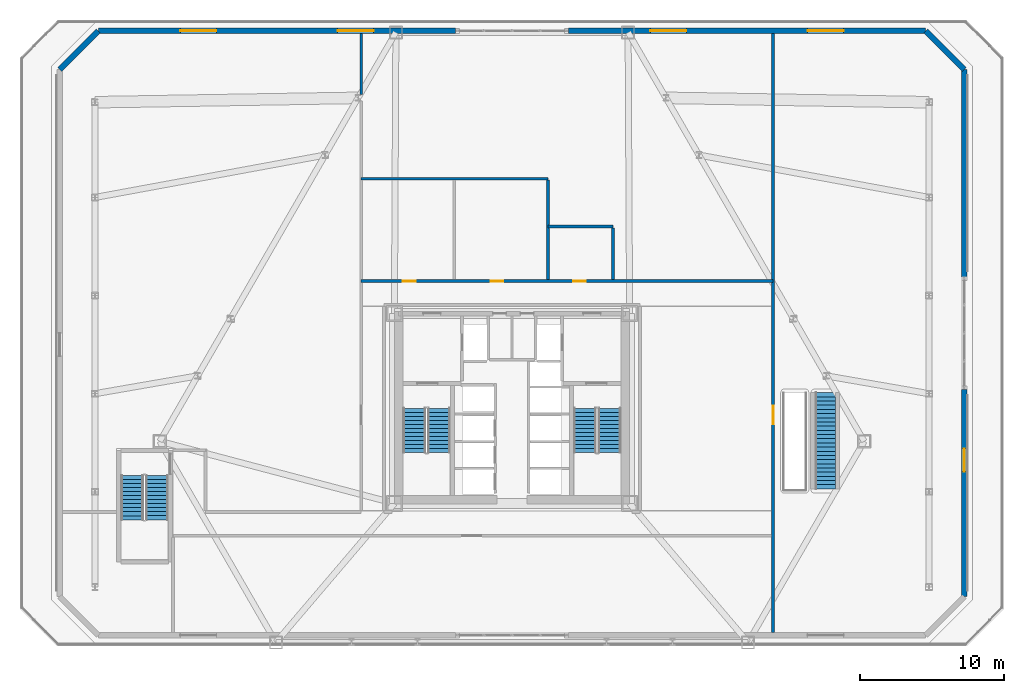
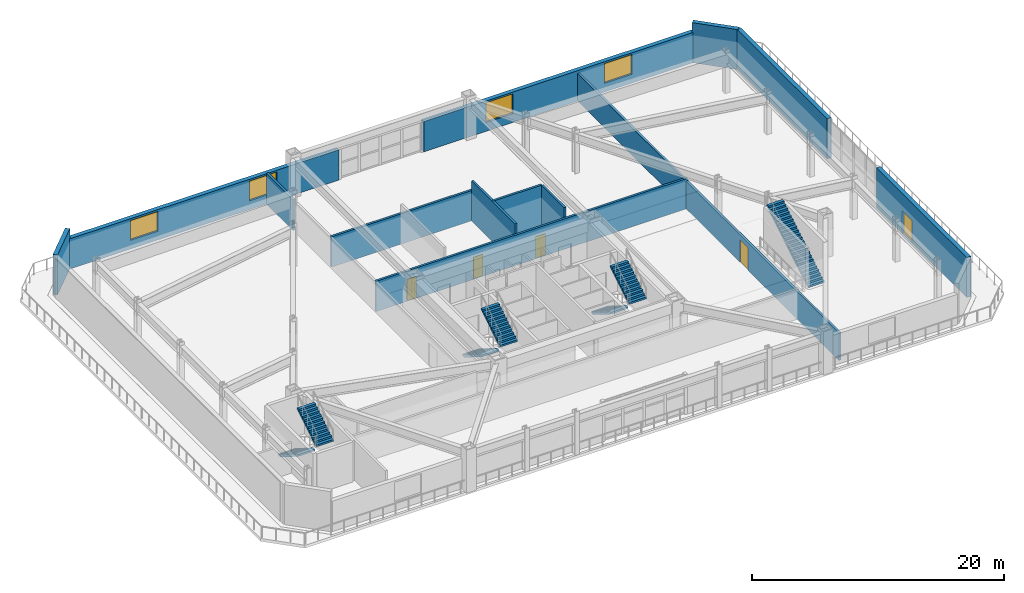
# One storey, part 13 of 22: 13 walls, 7 stair flights, 5 doors, 4 windows, 9 openings, 4 elements without a shape of their own.
"""IFC4 building model written with IfcOpenShell, lengths in metres."""

from ifc_helpers import new_model, si_unit, direction, frame, frame_2d, origin, place, context, subcontext, project, spatial, polyline, rectangle, outline, extrude, material, layer, layer_set, type_object, element, fill, aggregate, save


model = new_model("IFC4")

# Units and contexts
model_context = context("Model", 3, precision=1e-05, world=origin(), true_north=direction((0.0, 1.0)))
body_context = subcontext(model_context, "Body", "Model", "MODEL_VIEW")
ifc_project = project(units=[si_unit("LENGTHUNIT", "METRE"), si_unit("AREAUNIT", "SQUARE_METRE"), si_unit("VOLUMEUNIT", "CUBIC_METRE"), si_unit("PLANEANGLEUNIT", "RADIAN"), si_unit("MASSUNIT", "GRAM", prefix="KILO")], contexts=[model_context])

# Site, building, storey
site_placement = place(None, origin())
site = spatial("IfcSite", under=ifc_project, at=site_placement, CompositionType="ELEMENT")
building_placement = place(site_placement, origin())
building = spatial("IfcBuilding", under=site, at=building_placement, Name="Oramaril Tower", CompositionType="ELEMENT")
storey_placement = place(building_placement, frame((0.0, 0.0, 18.300048828125)))
storey = spatial("IfcBuildingStorey", under=building, at=storey_placement, Name="L04", CompositionType="ELEMENT", Elevation=18.300048828125)

# Wall, opening, door
ifc_material_1 = material(Name="Warm Cream Limestone", Category="masonry")
ifc_layer_1 = layer(ifc_material_1, 0.3798828125)
ifc_layer_set_1 = layer_set([ifc_layer_1], Name="WT-EXT38")
wall_type_1 = type_object("IfcWallType", Name="WT-EXT38", PredefinedType="SOLIDWALL", material=ifc_layer_set_1)
wall_1_placement = place(storey_placement, frame((68.85009765625, 4.52783203125, 0.0), z_axis=(0.0, 0.0, 1.0), x_axis=(0.0, 1.0, 0.0)))
wall_1 = element("IfcWall", 1, at=wall_1_placement, inside=storey, type_object=wall_type_1, Name="L04 Limestone Facade Wall EW-3A", PredefinedType="SOLIDWALL", context=body_context, shape_type="SweptSolid", body=[
    extrude(rectangle(XDim=14.3720703125, YDim=0.3798828125, at=frame_2d((7.18603515625, 0.0))), origin(), (0.0, 0.0, 1.0), 3.8798828125),
])
opening_1_placement = place(wall_1_placement, frame((8.672119140625, 0.0, 0.0)))
opening_1 = element("IfcOpeningElement", 2, at=opening_1_placement, cuts=wall_1, Name="Opening D-L04-T2", PredefinedType="OPENING", context=body_context, shape_type="SweptSolid", body=[
    extrude(rectangle(XDim=1.60009765625, YDim=2.199951171875, at=frame_2d((0.800048828125, 1.10009765625))), frame((0.0, 0.18994140625, 0.0), z_axis=(0.0, -1.0, 0.0), x_axis=(1.0, 0.0, 0.0)), (0.0, 0.0, 1.0), 0.3798828125),
])
ifc_material_2 = material(Name="Anodised Aluminium 6063-T6", Category="aluminium")
door_type_1 = type_object("IfcDoorType", Name="DT-TER", OperationType="NOTDEFINED", PredefinedType="DOOR", material=ifc_material_2)
door_1_placement = place(opening_1_placement, origin())
door_1 = element("IfcDoor", 3, at=door_1_placement, inside=storey, type_object=door_type_1, Name="L04 Podium Terrace Access Door 2", OperationType="SINGLE_SWING_RIGHT", OverallHeight=2.199951171875, OverallWidth=1.60009765625, PredefinedType="DOOR", context=body_context, shape_type="SweptSolid", body=[
    extrude(rectangle(XDim=1.60009765625, YDim=2.199951171875, at=frame_2d((0.800048828125, 1.10009765625))), frame((0.0, 0.02490234375, 0.0), z_axis=(0.0, -1.0, 0.0), x_axis=(1.0, 0.0, 0.0)), (0.0, 0.0, 1.0), 0.050048828125),
])
fill(opening_1, door_1)

# Walls
wall_2_placement = place(storey_placement, frame((68.85009765625, 26.699951171875, 0.0), z_axis=(0.0, 0.0, 1.0), x_axis=(0.0, 1.0, 0.0)))
element("IfcWall", 4, at=wall_2_placement, inside=storey, type_object=wall_type_1, Name="L04 Limestone Facade Wall EW-3B", PredefinedType="SOLIDWALL", context=body_context, shape_type="SweptSolid", body=[
    extrude(rectangle(XDim=14.372314453125, YDim=0.3798828125, at=frame_2d((7.18603515625, 0.0))), origin(), (0.0, 0.0, 1.0), 3.8798828125),
])
wall_3_placement = place(storey_placement, frame((68.85009765625, 41.072265625, 0.0), z_axis=(0.0, 0.0, 1.0), x_axis=(-0.707139013974, 0.707074546929, 0.0)))
element("IfcWall", 5, at=wall_3_placement, inside=storey, type_object=wall_type_1, Name="L04 Limestone Facade Wall EW-4M", PredefinedType="SOLIDWALL", context=body_context, shape_type="SweptSolid", body=[
    extrude(rectangle(XDim=3.787109375, YDim=0.3798828125, at=frame_2d((1.8935546875, 0.0))), origin(), (0.0, 0.0, 1.0), 3.8798828125),
])

# Wall, openings, windows
wall_4_placement = place(storey_placement, frame((66.172119140625, 43.75, 0.0), z_axis=(0.0, 0.0, 1.0), x_axis=(-1.0, 0.0, 0.0)))
wall_4 = element("IfcWall", 6, at=wall_4_placement, inside=storey, type_object=wall_type_1, Name="L04 Limestone Facade Wall EW-5A", PredefinedType="SOLIDWALL", context=body_context, shape_type="SweptSolid", body=[
    extrude(rectangle(XDim=24.772216796875, YDim=0.3798828125, at=frame_2d((12.38623046875, 0.0))), origin(), (0.0, 0.0, 1.0), 2.94287109375),
])
opening_2_placement = place(wall_4_placement, frame((5.686279296875, 0.0, 0.85009765625)))
opening_2 = element("IfcOpeningElement", 7, at=opening_2_placement, cuts=wall_4, Name="Opening WN-11", PredefinedType="OPENING", context=body_context, shape_type="SweptSolid", body=[
    extrude(rectangle(XDim=2.5, YDim=1.923095703125, at=frame_2d((1.25, 0.96142578125))), frame((0.0, 0.18994140625, 0.0), z_axis=(0.0, -1.0, 0.0), x_axis=(1.0, 0.0, 0.0)), (0.0, 0.0, 1.0), 0.3798828125),
])
opening_3_placement = place(wall_4_placement, frame((16.5859375, 0.0, 0.85009765625)))
opening_3 = element("IfcOpeningElement", 8, at=opening_3_placement, cuts=wall_4, Name="Opening WN-11", PredefinedType="OPENING", context=body_context, shape_type="SweptSolid", body=[
    extrude(rectangle(XDim=2.5, YDim=1.923095703125, at=frame_2d((1.25, 0.96142578125))), frame((0.0, 0.18994140625, 0.0), z_axis=(0.0, -1.0, 0.0), x_axis=(1.0, 0.0, 0.0)), (0.0, 0.0, 1.0), 0.3798828125),
])
ifc_material_3 = material(Name="Coastal Low-E Insulated Glass", Category="glass")
window_type = type_object("IfcWindowType", Name="WNT-11", PartitioningType="SINGLE_PANEL", PredefinedType="WINDOW", material=ifc_material_3)
window_1_placement = place(opening_2_placement, origin())
window_1 = element("IfcWindow", 9, at=window_1_placement, inside=storey, type_object=window_type, Name="L04 Podium Chicago Window", OverallHeight=1.923095703125, OverallWidth=2.5, PartitioningType="SINGLE_PANEL", PredefinedType="WINDOW", context=body_context, shape_type="SweptSolid", body=[
    extrude(rectangle(XDim=2.5, YDim=1.923095703125, at=frame_2d((1.25, 0.96142578125))), frame((0.0, 0.030029296875, 0.0), z_axis=(0.0, -1.0, 0.0), x_axis=(1.0, 0.0, 0.0)), (0.0, 0.0, 1.0), 0.06005859375),
])
fill(opening_2, window_1)
window_2_placement = place(opening_3_placement, origin())
window_2 = element("IfcWindow", 10, at=window_2_placement, inside=storey, type_object=window_type, Name="L04 Podium Chicago Window", OverallHeight=1.923095703125, OverallWidth=2.5, PartitioningType="SINGLE_PANEL", PredefinedType="WINDOW", context=body_context, shape_type="SweptSolid", body=[
    extrude(rectangle(XDim=2.5, YDim=1.923095703125, at=frame_2d((1.25, 0.96142578125))), frame((0.0, 0.030029296875, 0.0), z_axis=(0.0, -1.0, 0.0), x_axis=(1.0, 0.0, 0.0)), (0.0, 0.0, 1.0), 0.06005859375),
])
fill(opening_3, window_2)

wall_5_placement = place(storey_placement, frame((33.60009765625, 43.75, 0.0), z_axis=(0.0, 0.0, 1.0), x_axis=(-1.0, 0.0, 0.0)))
wall_5 = element("IfcWall", 11, at=wall_5_placement, inside=storey, type_object=wall_type_1, Name="L04 Limestone Facade Wall EW-5B", PredefinedType="SOLIDWALL", context=body_context, shape_type="SweptSolid", body=[
    extrude(rectangle(XDim=24.772216796875, YDim=0.3798828125, at=frame_2d((12.38623046875, 0.0))), origin(), (0.0, 0.0, 1.0), 2.94287109375),
])
opening_4_placement = place(wall_5_placement, frame((5.686279296875, 0.0, 0.85009765625)))
opening_4 = element("IfcOpeningElement", 12, at=opening_4_placement, cuts=wall_5, Name="Opening WN-11", PredefinedType="OPENING", context=body_context, shape_type="SweptSolid", body=[
    extrude(rectangle(XDim=2.5, YDim=1.923095703125, at=frame_2d((1.25, 0.96142578125))), frame((0.0, 0.18994140625, 0.0), z_axis=(0.0, -1.0, 0.0), x_axis=(1.0, 0.0, 0.0)), (0.0, 0.0, 1.0), 0.3798828125),
])
opening_5_placement = place(wall_5_placement, frame((16.5859375, 0.0, 0.85009765625)))
opening_5 = element("IfcOpeningElement", 13, at=opening_5_placement, cuts=wall_5, Name="Opening WN-11", PredefinedType="OPENING", context=body_context, shape_type="SweptSolid", body=[
    extrude(rectangle(XDim=2.5, YDim=1.923095703125, at=frame_2d((1.25, 0.96142578125))), frame((0.0, 0.18994140625, 0.0), z_axis=(0.0, -1.0, 0.0), x_axis=(1.0, 0.0, 0.0)), (0.0, 0.0, 1.0), 0.3798828125),
])
window_3_placement = place(opening_4_placement, origin())
window_3 = element("IfcWindow", 14, at=window_3_placement, inside=storey, type_object=window_type, Name="L04 Podium Chicago Window", OverallHeight=1.923095703125, OverallWidth=2.5, PartitioningType="SINGLE_PANEL", PredefinedType="WINDOW", context=body_context, shape_type="SweptSolid", body=[
    extrude(rectangle(XDim=2.5, YDim=1.923095703125, at=frame_2d((1.25, 0.96142578125))), frame((0.0, 0.030029296875, 0.0), z_axis=(0.0, -1.0, 0.0), x_axis=(1.0, 0.0, 0.0)), (0.0, 0.0, 1.0), 0.06005859375),
])
fill(opening_4, window_3)
window_4_placement = place(opening_5_placement, origin())
window_4 = element("IfcWindow", 15, at=window_4_placement, inside=storey, type_object=window_type, Name="L04 Podium Chicago Window", OverallHeight=1.923095703125, OverallWidth=2.5, PartitioningType="SINGLE_PANEL", PredefinedType="WINDOW", context=body_context, shape_type="SweptSolid", body=[
    extrude(rectangle(XDim=2.5, YDim=1.923095703125, at=frame_2d((1.25, 0.96142578125))), frame((0.0, 0.030029296875, 0.0), z_axis=(0.0, -1.0, 0.0), x_axis=(1.0, 0.0, 0.0)), (0.0, 0.0, 1.0), 0.06005859375),
])
fill(opening_5, window_4)

# Wall
wall_6_placement = place(storey_placement, frame((8.827880859375, 43.75, 0.0), z_axis=(0.0, 0.0, 1.0), x_axis=(-0.707139013974, -0.707074546929, 0.0)))
element("IfcWall", 16, at=wall_6_placement, inside=storey, type_object=wall_type_1, Name="L04 Limestone Facade Wall EW-6M", PredefinedType="SOLIDWALL", context=body_context, shape_type="SweptSolid", body=[
    extrude(rectangle(XDim=3.787109375, YDim=0.3798828125, at=frame_2d((1.8935546875, 0.0))), origin(), (0.0, 0.0, 1.0), 3.8798828125),
])

# Wall, openings, doors
ifc_material_4 = material(Name="Autoclaved Cellular Concrete Block", Category="concrete")
ifc_layer_2 = layer(ifc_material_4, 0.199951171875)
ifc_layer_set_2 = layer_set([ifc_layer_2], Name="WT-PT20")
wall_type_2 = type_object("IfcWallType", Name="WT-PT20", PredefinedType="PARTITIONING", material=ifc_layer_set_2)
wall_7_placement = place(storey_placement, frame((27.050048828125, 26.39990234375, 0.0), z_axis=(0.0, 0.0, 1.0), x_axis=(1.0, 0.0, 0.0)))
wall_7 = element("IfcWall", 17, at=wall_7_placement, inside=storey, type_object=wall_type_2, Name="L04 Interior Partition PT-20", PredefinedType="PARTITIONING", context=body_context, shape_type="SweptSolid", body=[
    extrude(rectangle(XDim=28.550048828125, YDim=0.199951171875, at=frame_2d((14.27490234375, 0.0))), origin(), (0.0, 0.0, 1.0), 2.94287109375),
])
opening_6_placement = place(wall_7_placement, frame((2.885498046875, 0.0, 0.0)))
opening_6 = element("IfcOpeningElement", 18, at=opening_6_placement, cuts=wall_7, Name="Opening D-L04-02", PredefinedType="OPENING", context=body_context, shape_type="SweptSolid", body=[
    extrude(rectangle(XDim=0.8798828125, YDim=2.080078125, at=frame_2d((0.43994140625, 1.0400390625))), frame((0.0, 0.10009765625, 0.0), z_axis=(0.0, -1.0, 0.0), x_axis=(1.0, 0.0, 0.0)), (0.0, 0.0, 1.0), 0.199951171875),
])
opening_7_placement = place(wall_7_placement, frame((8.964111328125, 0.0, 0.0)))
opening_7 = element("IfcOpeningElement", 19, at=opening_7_placement, cuts=wall_7, Name="Opening D-L04-03", PredefinedType="OPENING", context=body_context, shape_type="SweptSolid", body=[
    extrude(rectangle(XDim=0.8798828125, YDim=2.080078125, at=frame_2d((0.43994140625, 1.0400390625))), frame((0.0, 0.10009765625, 0.0), z_axis=(0.0, -1.0, 0.0), x_axis=(1.0, 0.0, 0.0)), (0.0, 0.0, 1.0), 0.199951171875),
])
opening_8_placement = place(wall_7_placement, frame((14.687744140625, 0.0, 0.0)))
opening_8 = element("IfcOpeningElement", 20, at=opening_8_placement, cuts=wall_7, Name="Opening D-L04-04", PredefinedType="OPENING", context=body_context, shape_type="SweptSolid", body=[
    extrude(rectangle(XDim=0.8798828125, YDim=2.080078125, at=frame_2d((0.43994140625, 1.0400390625))), frame((0.0, 0.10009765625, 0.0), z_axis=(0.0, -1.0, 0.0), x_axis=(1.0, 0.0, 0.0)), (0.0, 0.0, 1.0), 0.199951171875),
])
ifc_material_5 = material(Name="FSC Brazilian Freijo Hardwood", Category="wood")
door_type_2 = type_object("IfcDoorType", Name="DT-BATH", OperationType="NOTDEFINED", PredefinedType="DOOR", material=ifc_material_5)
door_2_placement = place(opening_6_placement, origin())
door_2 = element("IfcDoor", 21, at=door_2_placement, inside=storey, type_object=door_type_2, Name="L04 L04 Male WC Door D-L04-02", OperationType="SINGLE_SWING_RIGHT", OverallHeight=2.080078125, OverallWidth=0.8798828125, PredefinedType="DOOR", context=body_context, shape_type="SweptSolid", body=[
    extrude(rectangle(XDim=0.8798828125, YDim=2.080078125, at=frame_2d((0.43994140625, 1.0400390625))), frame((0.0, 0.02490234375, 0.0), z_axis=(0.0, -1.0, 0.0), x_axis=(1.0, 0.0, 0.0)), (0.0, 0.0, 1.0), 0.050048828125),
])
fill(opening_6, door_2)
door_3_placement = place(opening_7_placement, origin())
door_3 = element("IfcDoor", 22, at=door_3_placement, inside=storey, type_object=door_type_2, Name="L04 L04 Female WC Door D-L04-03", OperationType="SINGLE_SWING_LEFT", OverallHeight=2.080078125, OverallWidth=0.8798828125, PredefinedType="DOOR", context=body_context, shape_type="SweptSolid", body=[
    extrude(rectangle(XDim=0.8798828125, YDim=2.080078125, at=frame_2d((0.43994140625, 1.0400390625))), frame((0.0, 0.02490234375, 0.0), z_axis=(0.0, -1.0, 0.0), x_axis=(1.0, 0.0, 0.0)), (0.0, 0.0, 1.0), 0.050048828125),
])
fill(opening_7, door_3)
door_4_placement = place(opening_8_placement, origin())
door_4 = element("IfcDoor", 23, at=door_4_placement, inside=storey, type_object=door_type_2, Name="L04 L04 Accessible WC Door D-L04-04", OperationType="SINGLE_SWING_RIGHT", OverallHeight=2.080078125, OverallWidth=0.8798828125, PredefinedType="DOOR", context=body_context, shape_type="SweptSolid", body=[
    extrude(rectangle(XDim=0.8798828125, YDim=2.080078125, at=frame_2d((0.43994140625, 1.0400390625))), frame((0.0, 0.02490234375, 0.0), z_axis=(0.0, -1.0, 0.0), x_axis=(1.0, 0.0, 0.0)), (0.0, 0.0, 1.0), 0.050048828125),
])
fill(opening_8, door_4)

# Walls
wall_8_placement = place(storey_placement, frame((40.0, 30.199951171875, 0.0), z_axis=(0.0, 0.0, 1.0), x_axis=(1.0, 0.0, 0.0)))
element("IfcWall", 24, at=wall_8_placement, inside=storey, type_object=wall_type_2, Name="L04 Interior Partition PT-20", PredefinedType="PARTITIONING", context=body_context, shape_type="SweptSolid", body=[
    extrude(rectangle(XDim=4.5, YDim=0.199951171875, at=frame_2d((2.25, 0.0))), origin(), (0.0, 0.0, 1.0), 3.8798828125),
])
wall_9_placement = place(storey_placement, frame((27.050048828125, 33.5, 0.0), z_axis=(0.0, 0.0, 1.0), x_axis=(1.0, 0.0, 0.0)))
element("IfcWall", 25, at=wall_9_placement, inside=storey, type_object=wall_type_2, Name="L04 Interior Partition PT-20", PredefinedType="PARTITIONING", context=body_context, shape_type="SweptSolid", body=[
    extrude(rectangle(XDim=12.949951171875, YDim=0.199951171875, at=frame_2d((6.47509765625, 0.0))), origin(), (0.0, 0.0, 1.0), 2.94287109375),
])
wall_10_placement = place(storey_placement, frame((27.050048828125, 39.33154296875, 0.0), z_axis=(0.0, 0.0, 1.0), x_axis=(0.0, 1.0, 0.0)))
element("IfcWall", 26, at=wall_10_placement, inside=storey, type_object=wall_type_2, Name="L04 Interior Partition PT-20", PredefinedType="PARTITIONING", context=body_context, shape_type="SweptSolid", body=[
    extrude(rectangle(XDim=4.224365234375, YDim=0.199951171875, at=frame_2d((2.1123046875, 0.0))), origin(), (0.0, 0.0, 1.0), 3.013916015625),
])
wall_11_placement = place(storey_placement, frame((40.0, 26.50390625, 0.0), z_axis=(0.0, 0.0, 1.0), x_axis=(0.0, 1.0, 0.0)))
element("IfcWall", 27, at=wall_11_placement, inside=storey, type_object=wall_type_2, Name="L04 Interior Partition PT-20", PredefinedType="PARTITIONING", context=body_context, shape_type="SweptSolid", body=[
    extrude(rectangle(XDim=6.89208984375, YDim=0.199951171875, at=frame_2d((3.446044921875, 0.0))), origin(), (0.0, 0.0, 1.0), 3.8798828125),
])
wall_12_placement = place(storey_placement, frame((44.5, 26.50390625, 0.0), z_axis=(0.0, 0.0, 1.0), x_axis=(0.0, 1.0, 0.0)))
element("IfcWall", 28, at=wall_12_placement, inside=storey, type_object=wall_type_2, Name="L04 Interior Partition PT-20", PredefinedType="PARTITIONING", context=body_context, shape_type="SweptSolid", body=[
    extrude(rectangle(XDim=3.592041015625, YDim=0.199951171875, at=frame_2d((1.7958984375, 0.0))), origin(), (0.0, 0.0, 1.0), 3.8798828125),
])

# Wall, opening, door
wall_13_placement = place(storey_placement, frame((55.60009765625, 2.0439453125, 0.0), z_axis=(0.0, 0.0, 1.0), x_axis=(0.0, 1.0, 0.0)))
wall_13 = element("IfcWall", 29, at=wall_13_placement, inside=storey, type_object=wall_type_2, Name="L04 Interior Partition PT-20", PredefinedType="PARTITIONING", context=body_context, shape_type="SweptSolid", body=[
    extrude(rectangle(XDim=41.511962890625, YDim=0.199951171875, at=frame_2d((20.755859375, 0.0))), origin(), (0.0, 0.0, 1.0), 2.669921875),
])
opening_9_placement = place(wall_13_placement, frame((14.435302734375, 0.0, 0.0)))
opening_9 = element("IfcOpeningElement", 30, at=opening_9_placement, cuts=wall_13, Name="Opening D-L04-06", PredefinedType="OPENING", context=body_context, shape_type="SweptSolid", body=[
    extrude(rectangle(XDim=1.300048828125, YDim=2.199951171875, at=frame_2d((0.64990234375, 1.10009765625))), frame((0.0, 0.10009765625, 0.0), z_axis=(0.0, -1.0, 0.0), x_axis=(1.0, 0.0, 0.0)), (0.0, 0.0, 1.0), 0.199951171875),
])
ifc_material_6 = material(Name="FSC Brazilian Freijo Hardwood", Category="wood")
door_type_3 = type_object("IfcDoorType", Name="DT-COM", OperationType="NOTDEFINED", PredefinedType="DOOR", material=ifc_material_6)
door_5_placement = place(opening_9_placement, origin())
door_5 = element("IfcDoor", 31, at=door_5_placement, inside=storey, type_object=door_type_3, Name="L04 L04 Indoor Lap Pool Hall Door D-L04-06", OperationType="SINGLE_SWING_RIGHT", OverallHeight=2.199951171875, OverallWidth=1.300048828125, PredefinedType="DOOR", context=body_context, shape_type="SweptSolid", body=[
    extrude(rectangle(XDim=1.300048828125, YDim=2.199951171875, at=frame_2d((0.64990234375, 1.10009765625))), frame((0.0, 0.02490234375, 0.0), z_axis=(0.0, -1.0, 0.0), x_axis=(1.0, 0.0, 0.0)), (0.0, 0.0, 1.0), 0.050048828125),
])
fill(opening_9, door_5)

# Stair, stair flights
ifc_material_7 = material(Name="Concrete C50/60", Category="concrete")
stair_type_1 = type_object("IfcStairType", Name="STT-DG-4200", PredefinedType="HALF_TURN_STAIR", material=ifc_material_7)
stair_1_placement = place(storey_placement, origin())
stair_1 = element("IfcStair", 32, at=stair_1_placement, inside=storey, type_object=stair_type_1, Name="L04 Protected PFP Exit Stair ST-1", PredefinedType="HALF_TURN_STAIR")
ifc_material_8 = material(Name="Concrete C50/60", Category="concrete")
stair_flight_type_1 = type_object("IfcStairFlightType", Name="SFT-DG-4200", PredefinedType="STRAIGHT", material=ifc_material_8)
stair_flight_1_placement = place(storey_placement, frame((30.72998046875, 17.590087890625, 0.0), z_axis=(0.0, 0.0, 1.0), x_axis=(0.0, -1.0, 0.0)))
stair_flight_1 = element("IfcStairFlight", 33, at=stair_flight_1_placement, type_object=stair_flight_type_1, Name="ST-1 flight 1", NumberOfRisers=12, NumberOfTreads=11, PredefinedType="STRAIGHT", RiserHeight=0.175, TreadLength=0.28, context=body_context, shape_type="SweptSolid", body=[
    extrude(outline(polyline([(0.0, 0.0), (0.0, 0.175048828125), (0.280029296875, 0.175048828125), (0.280029296875, 0.35009765625), (0.56005859375, 0.35009765625), (0.56005859375, 0.52490234375), (0.840087890625, 0.52490234375), (0.840087890625, 0.699951171875), (1.1201171875, 0.699951171875), (1.1201171875, 0.875), (1.39990234375, 0.875), (1.39990234375, 1.050048828125), (1.679931640625, 1.050048828125), (1.679931640625, 1.22509765625), (1.9599609375, 1.22509765625), (1.9599609375, 1.39990234375), (2.239990234375, 1.39990234375), (2.239990234375, 1.574951171875), (2.52001953125, 1.574951171875), (2.52001953125, 1.75), (2.800048828125, 1.75), (2.800048828125, 1.925048828125), (3.080078125, 1.925048828125), (3.080078125, 2.10009765625), (3.080078125, 1.748291015625), (0.28271484375, 0.0), (0.0, 0.0)])), frame((0.0, 0.780029296875, 0.0), z_axis=(0.0, -1.0, 0.0), x_axis=(1.0, 0.0, 0.0)), (0.0, 0.0, 1.0), 1.56005859375),
])
stair_flight_2_placement = place(storey_placement, frame((32.43994140625, 14.510009765625, 2.099853515625), z_axis=(0.0, 0.0, 1.0), x_axis=(0.0, 1.0, 0.0)))
stair_flight_2 = element("IfcStairFlight", 34, at=stair_flight_2_placement, type_object=stair_flight_type_1, Name="ST-1 flight 2", NumberOfRisers=12, NumberOfTreads=11, PredefinedType="STRAIGHT", RiserHeight=0.175, TreadLength=0.28, context=body_context, shape_type="SweptSolid", body=[
    extrude(outline(polyline([(0.0, 0.0), (0.0, 0.175048828125), (0.280029296875, 0.175048828125), (0.280029296875, 0.35009765625), (0.56005859375, 0.35009765625), (0.56005859375, 0.52490234375), (0.840087890625, 0.52490234375), (0.840087890625, 0.699951171875), (1.1201171875, 0.699951171875), (1.1201171875, 0.875), (1.39990234375, 0.875), (1.39990234375, 1.050048828125), (1.679931640625, 1.050048828125), (1.679931640625, 1.22509765625), (1.9599609375, 1.22509765625), (1.9599609375, 1.39990234375), (2.239990234375, 1.39990234375), (2.239990234375, 1.574951171875), (2.52001953125, 1.574951171875), (2.52001953125, 1.75), (2.800048828125, 1.75), (2.800048828125, 1.925048828125), (3.080078125, 1.925048828125), (3.080078125, 2.10009765625), (3.080078125, 1.748291015625), (0.28271484375, 0.0), (0.0, 0.0)])), frame((0.0, 0.780029296875, 0.0), z_axis=(0.0, -1.0, 0.0), x_axis=(1.0, 0.0, 0.0)), (0.0, 0.0, 1.0), 1.56005859375),
])
aggregate(stair_1, [stair_flight_1, stair_flight_2])

stair_2_placement = place(storey_placement, origin())
stair_2 = element("IfcStair", 35, at=stair_2_placement, inside=storey, type_object=stair_type_1, Name="L04 Protected PFP Exit Stair ST-2", PredefinedType="HALF_TURN_STAIR")
stair_flight_3_placement = place(storey_placement, frame((42.56005859375, 17.590087890625, 0.0), z_axis=(0.0, 0.0, 1.0), x_axis=(0.0, -1.0, 0.0)))
stair_flight_3 = element("IfcStairFlight", 36, at=stair_flight_3_placement, type_object=stair_flight_type_1, Name="ST-2 flight 1", NumberOfRisers=12, NumberOfTreads=11, PredefinedType="STRAIGHT", RiserHeight=0.175, TreadLength=0.28, context=body_context, shape_type="SweptSolid", body=[
    extrude(outline(polyline([(0.0, 0.0), (0.0, 0.175048828125), (0.280029296875, 0.175048828125), (0.280029296875, 0.35009765625), (0.56005859375, 0.35009765625), (0.56005859375, 0.52490234375), (0.840087890625, 0.52490234375), (0.840087890625, 0.699951171875), (1.1201171875, 0.699951171875), (1.1201171875, 0.875), (1.39990234375, 0.875), (1.39990234375, 1.050048828125), (1.679931640625, 1.050048828125), (1.679931640625, 1.22509765625), (1.9599609375, 1.22509765625), (1.9599609375, 1.39990234375), (2.239990234375, 1.39990234375), (2.239990234375, 1.574951171875), (2.52001953125, 1.574951171875), (2.52001953125, 1.75), (2.800048828125, 1.75), (2.800048828125, 1.925048828125), (3.080078125, 1.925048828125), (3.080078125, 2.10009765625), (3.080078125, 1.748291015625), (0.28271484375, 0.0), (0.0, 0.0)])), frame((0.0, 0.780029296875, 0.0), z_axis=(0.0, -1.0, 0.0), x_axis=(1.0, 0.0, 0.0)), (0.0, 0.0, 1.0), 1.56005859375),
])
stair_flight_4_placement = place(storey_placement, frame((44.27001953125, 14.510009765625, 2.099853515625), z_axis=(0.0, 0.0, 1.0), x_axis=(0.0, 1.0, 0.0)))
stair_flight_4 = element("IfcStairFlight", 37, at=stair_flight_4_placement, type_object=stair_flight_type_1, Name="ST-2 flight 2", NumberOfRisers=12, NumberOfTreads=11, PredefinedType="STRAIGHT", RiserHeight=0.175, TreadLength=0.28, context=body_context, shape_type="SweptSolid", body=[
    extrude(outline(polyline([(0.0, 0.0), (0.0, 0.175048828125), (0.280029296875, 0.175048828125), (0.280029296875, 0.35009765625), (0.56005859375, 0.35009765625), (0.56005859375, 0.52490234375), (0.840087890625, 0.52490234375), (0.840087890625, 0.699951171875), (1.1201171875, 0.699951171875), (1.1201171875, 0.875), (1.39990234375, 0.875), (1.39990234375, 1.050048828125), (1.679931640625, 1.050048828125), (1.679931640625, 1.22509765625), (1.9599609375, 1.22509765625), (1.9599609375, 1.39990234375), (2.239990234375, 1.39990234375), (2.239990234375, 1.574951171875), (2.52001953125, 1.574951171875), (2.52001953125, 1.75), (2.800048828125, 1.75), (2.800048828125, 1.925048828125), (3.080078125, 1.925048828125), (3.080078125, 2.10009765625), (3.080078125, 1.748291015625), (0.28271484375, 0.0), (0.0, 0.0)])), frame((0.0, 0.780029296875, 0.0), z_axis=(0.0, -1.0, 0.0), x_axis=(1.0, 0.0, 0.0)), (0.0, 0.0, 1.0), 1.56005859375),
])
aggregate(stair_2, [stair_flight_3, stair_flight_4])

stair_3_placement = place(storey_placement, origin())
stair_3 = element("IfcStair", 38, at=stair_3_placement, inside=storey, type_object=stair_type_1, Name="L04 Podium Enclosed Exit Stair ST-3", PredefinedType="HALF_TURN_STAIR")
stair_flight_5_placement = place(storey_placement, frame((11.179931640625, 12.93994140625, 0.0), z_axis=(0.0, 0.0, 1.0), x_axis=(0.0, -1.0, 0.0)))
stair_flight_5 = element("IfcStairFlight", 39, at=stair_flight_5_placement, type_object=stair_flight_type_1, Name="ST-3 flight 1", NumberOfRisers=12, NumberOfTreads=11, PredefinedType="STRAIGHT", RiserHeight=0.175, TreadLength=0.28, context=body_context, shape_type="SweptSolid", body=[
    extrude(outline(polyline([(0.0, 0.0), (0.0, 0.175048828125), (0.280029296875, 0.175048828125), (0.280029296875, 0.35009765625), (0.56005859375, 0.35009765625), (0.56005859375, 0.52490234375), (0.840087890625, 0.52490234375), (0.840087890625, 0.699951171875), (1.1201171875, 0.699951171875), (1.1201171875, 0.875), (1.39990234375, 0.875), (1.39990234375, 1.050048828125), (1.679931640625, 1.050048828125), (1.679931640625, 1.22509765625), (1.9599609375, 1.22509765625), (1.9599609375, 1.39990234375), (2.239990234375, 1.39990234375), (2.239990234375, 1.574951171875), (2.52001953125, 1.574951171875), (2.52001953125, 1.75), (2.800048828125, 1.75), (2.800048828125, 1.925048828125), (3.080078125, 1.925048828125), (3.080078125, 2.10009765625), (3.080078125, 1.748291015625), (0.28271484375, 0.0), (0.0, 0.0)])), frame((0.0, 0.780029296875, 0.0), z_axis=(0.0, -1.0, 0.0), x_axis=(1.0, 0.0, 0.0)), (0.0, 0.0, 1.0), 1.56005859375),
])
stair_flight_6_placement = place(storey_placement, frame((12.889892578125, 9.860107421875, 2.099853515625), z_axis=(0.0, 0.0, 1.0), x_axis=(0.0, 1.0, 0.0)))
stair_flight_6 = element("IfcStairFlight", 40, at=stair_flight_6_placement, type_object=stair_flight_type_1, Name="ST-3 flight 2", NumberOfRisers=12, NumberOfTreads=11, PredefinedType="STRAIGHT", RiserHeight=0.175, TreadLength=0.28, context=body_context, shape_type="SweptSolid", body=[
    extrude(outline(polyline([(0.0, 0.0), (0.0, 0.175048828125), (0.280029296875, 0.175048828125), (0.280029296875, 0.35009765625), (0.56005859375, 0.35009765625), (0.56005859375, 0.52490234375), (0.840087890625, 0.52490234375), (0.840087890625, 0.699951171875), (1.1201171875, 0.699951171875), (1.1201171875, 0.875), (1.39990234375, 0.875), (1.39990234375, 1.050048828125), (1.679931640625, 1.050048828125), (1.679931640625, 1.22509765625), (1.9599609375, 1.22509765625), (1.9599609375, 1.39990234375), (2.239990234375, 1.39990234375), (2.239990234375, 1.574951171875), (2.52001953125, 1.574951171875), (2.52001953125, 1.75), (2.800048828125, 1.75), (2.800048828125, 1.925048828125), (3.080078125, 1.925048828125), (3.080078125, 2.10009765625), (3.080078125, 1.748291015625), (0.28271484375, 0.0), (0.0, 0.0)])), frame((0.0, 0.780029296875, 0.0), z_axis=(0.0, -1.0, 0.0), x_axis=(1.0, 0.0, 0.0)), (0.0, 0.0, 1.0), 1.56005859375),
])
aggregate(stair_3, [stair_flight_5, stair_flight_6])

# Stair, stair flight
ifc_material_9 = material(Name="Concrete C40/50", Category="concrete")
stair_type_2 = type_object("IfcStairType", Name="STT-SR-ST-7", PredefinedType="STRAIGHT_RUN_STAIR", material=ifc_material_9)
stair_4_placement = place(storey_placement, origin())
stair_4 = element("IfcStair", 41, at=stair_4_placement, inside=storey, type_object=stair_type_2, Name="L04 Architectural Feature Stair ST-7", PredefinedType="STRAIGHT_RUN_STAIR")
ifc_material_10 = material(Name="Concrete C40/50", Category="concrete")
stair_flight_type_2 = type_object("IfcStairFlightType", Name="SFT-SR-ST-7", PredefinedType="STRAIGHT", material=ifc_material_10)
stair_flight_7_placement = place(storey_placement, frame((59.199951171875, 12.0, 0.0), z_axis=(0.0, 0.0, 1.0), x_axis=(0.0, 1.0, 0.0)))
stair_flight_7 = element("IfcStairFlight", 42, at=stair_flight_7_placement, type_object=stair_flight_type_2, Name="ST-7 flight 1", NumberOfRisers=24, NumberOfTreads=23, PredefinedType="STRAIGHT", RiserHeight=0.175, TreadLength=0.29, context=body_context, shape_type="SweptSolid", body=[
    extrude(outline(polyline([(0.0, 0.0), (0.0, 0.175048828125), (0.2900390625, 0.175048828125), (0.2900390625, 0.35009765625), (0.580078125, 0.35009765625), (0.580078125, 0.52490234375), (0.8701171875, 0.52490234375), (0.8701171875, 0.699951171875), (1.159912109375, 0.699951171875), (1.159912109375, 0.875), (1.449951171875, 0.875), (1.449951171875, 1.050048828125), (1.739990234375, 1.050048828125), (1.739990234375, 1.22509765625), (2.030029296875, 1.22509765625), (2.030029296875, 1.39990234375), (2.320068359375, 1.39990234375), (2.320068359375, 1.574951171875), (2.610107421875, 1.574951171875), (2.610107421875, 1.75), (2.89990234375, 1.75), (2.89990234375, 1.925048828125), (3.18994140625, 1.925048828125), (3.18994140625, 2.10009765625), (3.47998046875, 2.10009765625), (3.47998046875, 2.27490234375), (3.77001953125, 2.27490234375), (3.77001953125, 2.449951171875), (4.06005859375, 2.449951171875), (4.06005859375, 2.625), (4.35009765625, 2.625), (4.35009765625, 2.800048828125), (4.639892578125, 2.800048828125), (4.639892578125, 2.97509765625), (4.929931640625, 2.97509765625), (4.929931640625, 3.14990234375), (5.219970703125, 3.14990234375), (5.219970703125, 3.324951171875), (5.510009765625, 3.324951171875), (5.510009765625, 3.5), (5.800048828125, 3.5), (5.800048828125, 3.675048828125), (6.090087890625, 3.675048828125), (6.090087890625, 3.85009765625), (6.3798828125, 3.85009765625), (6.3798828125, 4.02490234375), (6.669921875, 4.02490234375), (6.669921875, 4.199951171875), (6.669921875, 3.81494140625), (0.34814453125, 0.0), (0.0, 0.0)])), frame((0.0, 0.72509765625, 0.0), z_axis=(0.0, -1.0, 0.0), x_axis=(1.0, 0.0, 0.0)), (0.0, 0.0, 1.0), 1.449951171875),
])
aggregate(stair_4, [stair_flight_7])

save(model, "model.ifc")
